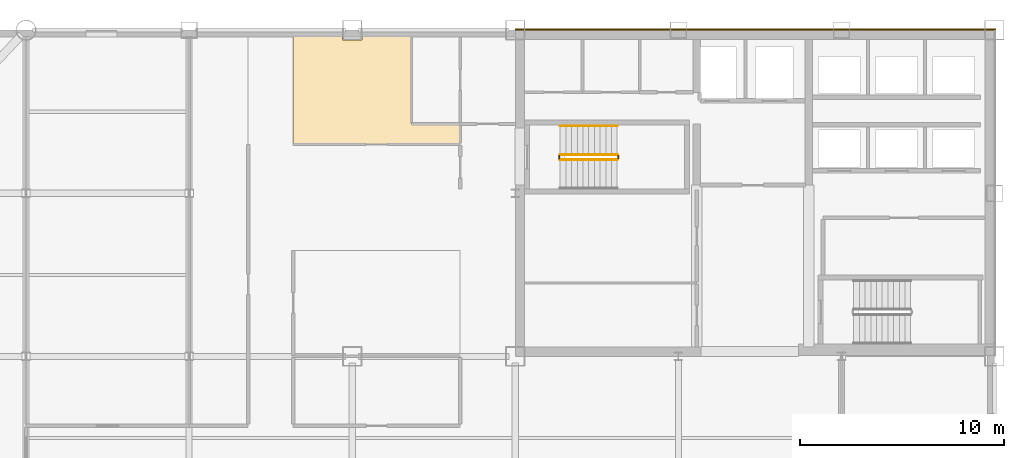
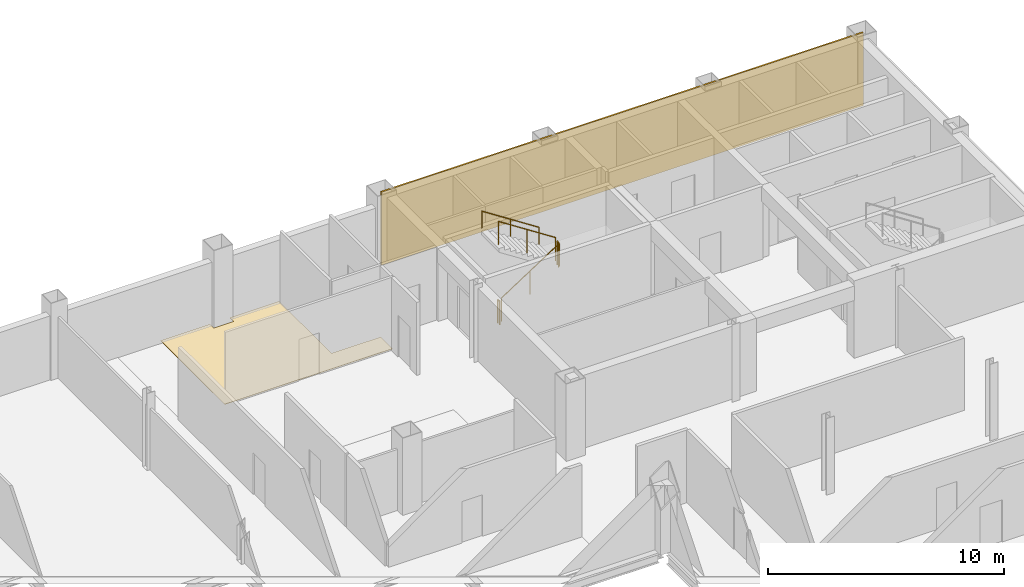
# One storey, part 9 of 9: 5 railings, 2 coverings.
"""IFC4 building model written with IfcOpenShell, lengths in metres."""

from ifc_helpers import new_model, si_unit, direction, frame, origin, origin_2d, place, context, subcontext, project, spatial, polyline, rectangle, circle, outline, extrude, material, layer, layer_set, type_object, element, save


model = new_model("IFC4")

# Units and contexts
model_context = context("Model", 3, precision=1e-05, world=origin(), true_north=direction((0.0, 1.0)))
body_context = subcontext(model_context, "Body", "Model", "MODEL_VIEW")
ifc_project = project(units=[si_unit("LENGTHUNIT", "METRE"), si_unit("AREAUNIT", "SQUARE_METRE"), si_unit("VOLUMEUNIT", "CUBIC_METRE"), si_unit("PLANEANGLEUNIT", "RADIAN"), si_unit("MASSUNIT", "GRAM", prefix="KILO")], contexts=[model_context])

# Site, building, storey
site_placement = place(None, origin())
site = spatial("IfcSite", under=ifc_project, at=site_placement, CompositionType="ELEMENT")
building_placement = place(site_placement, origin())
building = spatial("IfcBuilding", under=site, at=building_placement, Name="Qianrong Seaharbour Tower", CompositionType="ELEMENT")
storey_placement = place(building_placement, frame((0.0, 0.0, 221.800048828125)))
storey = spatial("IfcBuildingStorey", under=building, at=storey_placement, Name="L53", CompositionType="ELEMENT", Elevation=221.800048828125)

# Coverings
ifc_material_1 = material(Name="Unitised red brick cladding on Precast concrete C45/55", Category="masonry")
ifc_layer_1 = layer(ifc_material_1, 0.080078125)
ifc_layer_set_1 = layer_set([ifc_layer_1], Name="Unitised red brick cladding on Precast concrete C45/55")
covering_type_1 = type_object("IfcCoveringType", Name="COV-CLAD-RED-BRICK-80", PredefinedType="CLADDING", material=ifc_layer_set_1)
covering_1_placement = place(storey_placement, frame((52.2900390625, 52.0400390625, 0.0), z_axis=(0.0, 0.0, 1.0), x_axis=(1.0, 0.0, 0.0)))
element("IfcCovering", 1, at=covering_1_placement, inside=storey, type_object=covering_type_1, Name="L53 North Core Brick Veneer Cladding", PredefinedType="CLADDING", context=body_context, shape_type="SweptSolid", body=[
    extrude(rectangle(XDim=23.580078125, YDim=0.080078125, at=origin_2d()), origin(), (0.0, 0.0, 1.0), 3.77490234375),
])
ifc_material_2 = material(Name="Acoustic modular carpet tile flooring")
ifc_layer_2 = layer(ifc_material_2, 0.02001953125)
ifc_layer_set_2 = layer_set([ifc_layer_2], Name="Acoustic modular carpet tile flooring")
covering_type_2 = type_object("IfcCoveringType", Name="COV-FLOOR-CARPET-20", PredefinedType="FLOORING", material=ifc_layer_set_2)
covering_2_placement = place(storey_placement, origin())
element("IfcCovering", 2, at=covering_2_placement, inside=storey, type_object=covering_type_2, Name="L53 Wet Pantry 3 Finish Flooring", PredefinedType="FLOORING", context=body_context, shape_type="SweptSolid", body=[
    extrude(outline(polyline([(32.014892578125, 51.8349609375), (32.014892578125, 51.514892578125), (32.985107421875, 51.514892578125), (32.985107421875, 51.8349609375), (35.39990234375, 51.8349609375), (35.39990234375, 47.39990234375), (37.800048828125, 47.39990234375), (37.800048828125, 46.39990234375), (29.60009765625, 46.39990234375), (29.60009765625, 51.8349609375), (32.014892578125, 51.8349609375)])), origin(), (0.0, 0.0, 1.0), 0.02001953125),
])

# Railings
ifc_material_3 = material(Name="Galvanized painted steel SN400B stair guard", Category="steel")
railing_type_1 = type_object("IfcRailingType", Name="RAIL-STAIR-GUARD-1220", PredefinedType="GUARDRAIL", material=ifc_material_3)
railing_1_placement = place(storey_placement, frame((42.699951171875, 45.64990234375, 0.181884765625)))
element("IfcRailing", 3, at=railing_1_placement, inside=storey, type_object=railing_type_1, Name="L53 ST-1 stair guard 1", PredefinedType="GUARDRAIL", context=body_context, shape_type="SweptSolid", body=[
    extrude(circle(Radius=0.02392578125, at=origin_2d()), frame((0.0, 0.0, 1.19580078125), z_axis=(0.838705829183, 0.0, 0.544584733623), x_axis=(0.0, 1.0, 0.0)), (0.0, 0.0, 1.0), 3.338623046875),
    extrude(circle(Radius=0.02099609375, at=origin_2d()), origin(), (0.0, 0.0, 1.0), 1.171875),
    extrude(circle(Radius=0.02099609375, at=origin_2d()), frame((1.39990234375, 0.0, 0.9091796875)), (0.0, 0.0, 1.0), 1.171875),
    extrude(circle(Radius=0.02099609375, at=origin_2d()), frame((2.800048828125, 0.0, 1.818115234375)), (0.0, 0.0, 1.0), 1.171875),
])
railing_2_placement = place(storey_placement, frame((45.550048828125, 45.699951171875, 2.0)))
element("IfcRailing", 4, at=railing_2_placement, inside=storey, type_object=railing_type_1, Name="L53 ST-1 stair guard 2", PredefinedType="GUARDRAIL", context=body_context, shape_type="SweptSolid", body=[
    extrude(circle(Radius=0.02392578125, at=origin_2d()), frame((0.0, 0.0, 1.19580078125), z_axis=(0.0, 1.0, 0.0), x_axis=(-1.0, 0.0, 0.0)), (0.0, 0.0, 1.0), 0.150146484375),
    extrude(circle(Radius=0.02099609375, at=origin_2d()), origin(), (0.0, 0.0, 1.0), 1.171875),
    extrude(circle(Radius=0.02099609375, at=origin_2d()), frame((0.0, 0.150146484375, 0.0)), (0.0, 0.0, 1.0), 1.171875),
])
railing_3_placement = place(storey_placement, frame((45.5, 45.89990234375, 2.181884765625)))
element("IfcRailing", 5, at=railing_3_placement, inside=storey, type_object=railing_type_1, Name="L53 ST-1 stair guard 3", PredefinedType="GUARDRAIL", context=body_context, shape_type="SweptSolid", body=[
    extrude(circle(Radius=0.02392578125, at=origin_2d()), frame((0.0, 0.0, 1.19580078125), z_axis=(-0.838705829183, 0.0, 0.544584733623), x_axis=(0.0, -1.0, 0.0)), (0.0, 0.0, 1.0), 3.338623046875),
    extrude(circle(Radius=0.02099609375, at=origin_2d()), origin(), (0.0, 0.0, 1.0), 1.171875),
    extrude(circle(Radius=0.02099609375, at=origin_2d()), frame((-1.39990234375, 0.0, 0.9091796875)), (0.0, 0.0, 1.0), 1.171875),
    extrude(circle(Radius=0.02099609375, at=origin_2d()), frame((-2.800048828125, 0.0, 1.818115234375)), (0.0, 0.0, 1.0), 1.171875),
])
railing_4_placement = place(storey_placement, frame((42.64990234375, 45.699951171875, 0.0)))
element("IfcRailing", 6, at=railing_4_placement, inside=storey, type_object=railing_type_1, Name="L53 ST-1 stair guard 4", PredefinedType="GUARDRAIL", context=body_context, shape_type="SweptSolid", body=[
    extrude(circle(Radius=0.02392578125, at=origin_2d()), frame((0.0, 0.0, 1.19580078125), z_axis=(0.0, 1.0, 0.0), x_axis=(-1.0, 0.0, 0.0)), (0.0, 0.0, 1.0), 0.150146484375),
    extrude(circle(Radius=0.02099609375, at=origin_2d()), origin(), (0.0, 0.0, 1.0), 1.171875),
    extrude(circle(Radius=0.02099609375, at=origin_2d()), frame((0.0, 0.150146484375, 0.0)), (0.0, 0.0, 1.0), 1.171875),
])
ifc_material_4 = material(Name="Stainless steel SUS316L continuous handrail", Category="steel")
railing_type_2 = type_object("IfcRailingType", Name="RAIL-STAIR-HANDRAIL-900", PredefinedType="HANDRAIL", material=ifc_material_4)
railing_5_placement = place(storey_placement, frame((45.5, 47.300048828125, 2.181884765625)))
element("IfcRailing", 7, at=railing_5_placement, inside=storey, type_object=railing_type_2, Name="L53 ST-1 stair handrail 2", PredefinedType="HANDRAIL", context=body_context, shape_type="SweptSolid", body=[
    extrude(circle(Radius=0.02392578125, at=origin_2d()), frame((0.0, 0.0, 0.8759765625), z_axis=(-0.838705829183, 0.0, 0.544584733623), x_axis=(0.0, -1.0, 0.0)), (0.0, 0.0, 1.0), 3.338623046875),
    extrude(circle(Radius=0.02099609375, at=origin_2d()), origin(), (0.0, 0.0, 1.0), 0.851806640625),
    extrude(circle(Radius=0.02099609375, at=origin_2d()), frame((-1.39990234375, 0.0, 0.9091796875)), (0.0, 0.0, 1.0), 0.851806640625),
    extrude(circle(Radius=0.02099609375, at=origin_2d()), frame((-2.800048828125, 0.0, 1.818115234375)), (0.0, 0.0, 1.0), 0.851806640625),
])

save(model, "model.ifc")
